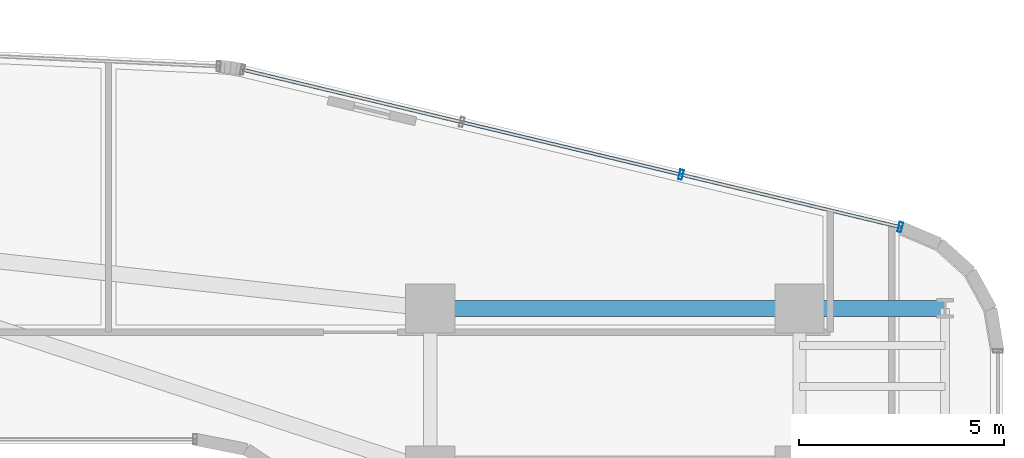
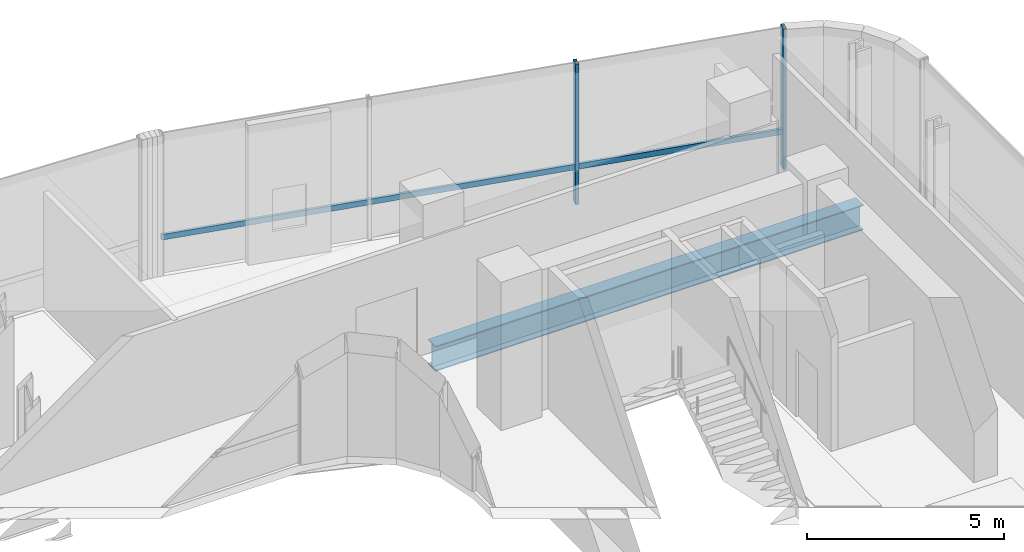
# One storey, part 22 of 32: 3 members, 2 beams, 1 element without a shape of its own.
"""IFC4 building model written with IfcOpenShell, lengths in metres."""

import ifcopenshell
import ifcopenshell.guid

model = None  # the IFC model being written
_history = None  # IfcOwnerHistory: only IFC2X3 demands one
_inside = {}  # id of a spatial element -> (the spatial element, [elements in it])
_under = {}  # id of a project, library or spatial element -> (it, [spatial elements below it])
_declared = {}  # id of a project -> (the project, [libraries it declares])
_typed = {}  # id of a type object -> (the type object, [elements of that type])
_made_of = {}  # id of a material, layer set ... -> (it, [elements and type objects made of it])


def new_model(schema):
    """Start an empty IFC model of exactly this schema.

    Asked for "IFC4X3", IfcOpenShell would pick the latest addendum, in which some entities
    have other attributes; the version numbers below select the first issue.
    IFC2X3 requires an IfcOwnerHistory on every rooted entity: one is made here for all.
    """
    global model, _history
    if schema == "IFC4X3":
        model = ifcopenshell.file(schema_version=(4, 3, 0, 0))
    else:
        model = ifcopenshell.file(schema=schema)
    _inside.clear()
    _under.clear()
    _declared.clear()
    _typed.clear()
    _made_of.clear()
    _history = None
    if model.schema == "IFC2X3":
        org = make("IfcOrganization", Name="unknown")
        user = make(
            "IfcPersonAndOrganization",
            ThePerson=make("IfcPerson", FamilyName="unknown"),
            TheOrganization=org,
        )
        app = make(
            "IfcApplication",
            ApplicationDeveloper=org,
            Version="unknown",
            ApplicationFullName="unknown",
            ApplicationIdentifier="unknown",
        )
        _history = make(
            "IfcOwnerHistory",
            OwningUser=user,
            OwningApplication=app,
            ChangeAction="ADDED",
            CreationDate=0,
        )
    return model


def make(cls, **values):
    """One entity of the class cls with the attributes given. An attribute that is None is left unset."""
    return model.create_entity(
        cls, **{name: value for name, value in values.items() if value is not None}
    )


def rooted(cls, **values):
    """An entity with a GlobalId (a new one), such as an element, a storey or a relation."""
    return make(cls, GlobalId=ifcopenshell.guid.new(), OwnerHistory=_history, **values)


def si_unit(unit_type, name, prefix=None):
    """IfcSIUnit, for example si_unit("LENGTHUNIT", "METRE", prefix="MILLI")."""
    return make("IfcSIUnit", UnitType=unit_type, Prefix=prefix, Name=name)


def assignment(units):
    """IfcUnitAssignment: the units of a project."""
    return None if units is None else make("IfcUnitAssignment", Units=units)


def point(xyz):
    """IfcCartesianPoint."""
    return None if xyz is None else make("IfcCartesianPoint", Coordinates=xyz)


def direction(xyz):
    """IfcDirection."""
    return None if xyz is None else make("IfcDirection", DirectionRatios=xyz)


def frame(location, z_axis=None, x_axis=None):
    """IfcAxis2Placement3D, a coordinate frame: its origin and axes. An axis left out is left unset."""
    return make(
        "IfcAxis2Placement3D",
        Location=point(location),
        Axis=direction(z_axis),
        RefDirection=direction(x_axis),
    )


def frame_2d(location, x_axis=None):
    """IfcAxis2Placement2D, a coordinate frame in the plane: its origin and x axis."""
    return make(
        "IfcAxis2Placement2D", Location=point(location), RefDirection=direction(x_axis)
    )


def origin():
    """The frame at (0, 0, 0) with its axes left unset."""
    return frame((0.0, 0.0, 0.0))


def origin_2d():
    """The frame at (0, 0) in the plane with its x axis left unset."""
    return frame_2d((0.0, 0.0))


def place(relative_to, where):
    """IfcLocalPlacement: puts the frame where relative to a parent placement (None: the world)."""
    return make(
        "IfcLocalPlacement", PlacementRelTo=relative_to, RelativePlacement=where
    )


def context(
    kind, dimensions, precision=None, world=None, true_north=None, identifier=None
):
    """IfcGeometricRepresentationContext, for example the 3D "Model" context."""
    return make(
        "IfcGeometricRepresentationContext",
        ContextIdentifier=identifier,
        ContextType=kind,
        CoordinateSpaceDimension=dimensions,
        Precision=precision,
        WorldCoordinateSystem=world,
        TrueNorth=true_north,
    )


def subcontext(parent, identifier, kind, view, scale=None):
    """IfcGeometricRepresentationSubContext, for example "Body" below "Model"."""
    return make(
        "IfcGeometricRepresentationSubContext",
        ContextIdentifier=identifier,
        ContextType=kind,
        ParentContext=parent,
        TargetScale=scale,
        TargetView=view,
    )


def project(units=None, contexts=None):
    """IfcProject with its units and contexts."""
    return rooted(
        "IfcProject",
        Name="project",
        RepresentationContexts=contexts,
        UnitsInContext=assignment(units),
    )


def spatial(cls, under=None, at=None, **own):
    """A site, building, storey or space (cls), placed at a placement, below another one or the project."""
    s = rooted(cls, ObjectPlacement=at, **own)
    if under is not None:
        _under.setdefault(under.id(), (under, []))[1].append(s)
    return s


def profile(cls, at=None, kind="AREA", **sizes):
    """A parametric profile (cls). Its sizes go by their IFC names, for example OverallWidth=200.0."""
    return make(cls, ProfileType=kind, Position=at, **sizes)


def hollow_rectangle(**sizes):
    """IfcRectangleHollowProfileDef."""
    return profile("IfcRectangleHollowProfileDef", **sizes)


def i_section(**sizes):
    """IfcIShapeProfileDef."""
    return profile("IfcIShapeProfileDef", **sizes)


def extrude(swept, where, along, depth):
    """IfcExtrudedAreaSolid: the profile swept, set in the frame where, extruded along a direction by depth."""
    return make(
        "IfcExtrudedAreaSolid",
        SweptArea=swept,
        Position=where,
        ExtrudedDirection=direction(along),
        Depth=depth,
    )


def shape(context_of_items, identifier, shape_type, items):
    """IfcShapeRepresentation: the items that make up one representation, for example the "Body"."""
    return make(
        "IfcShapeRepresentation",
        ContextOfItems=context_of_items,
        RepresentationIdentifier=identifier,
        RepresentationType=shape_type,
        Items=items,
    )


def source(mapping_origin, context_of_items, identifier, shape_type, items):
    """IfcRepresentationMap: a shape defined once, which mapped items show again and again."""
    return make(
        "IfcRepresentationMap",
        MappingOrigin=mapping_origin,
        MappedRepresentation=shape(context_of_items, identifier, shape_type, items),
    )


def transform(
    local_origin,
    x_axis=None,
    y_axis=None,
    z_axis=None,
    scale=None,
    scale2=None,
    scale3=None,
    uniform=True,
):
    """IfcCartesianTransformationOperator3D, or its non-uniform kind. x_axis, y_axis, z_axis: its Axis1, 2, 3."""
    if uniform:
        return make(
            "IfcCartesianTransformationOperator3D",
            Axis1=direction(x_axis),
            Axis2=direction(y_axis),
            LocalOrigin=point(local_origin),
            Scale=scale,
            Axis3=direction(z_axis),
        )
    return make(
        "IfcCartesianTransformationOperator3DnonUniform",
        Axis1=direction(x_axis),
        Axis2=direction(y_axis),
        LocalOrigin=point(local_origin),
        Scale=scale,
        Axis3=direction(z_axis),
        Scale2=scale2,
        Scale3=scale3,
    )


def mapped(mapping_source, mapping_target):
    """IfcMappedItem: shows the shape of a source again, moved by a transform."""
    return make(
        "IfcMappedItem", MappingSource=mapping_source, MappingTarget=mapping_target
    )


def material(Name=None, Category=None):
    """IfcMaterial."""
    return make("IfcMaterial", Name=Name, Category=Category)


def material_profile(
    of_material, cross_section, Name=None, Category=None, Priority=None
):
    """IfcMaterialProfile: a cross section and its material."""
    return make(
        "IfcMaterialProfile",
        Name=Name,
        Material=of_material,
        Profile=cross_section,
        Priority=Priority,
        Category=Category,
    )


def profile_set(profiles, Name=None, composite=None):
    """IfcMaterialProfileSet."""
    return make(
        "IfcMaterialProfileSet",
        Name=Name,
        MaterialProfiles=profiles,
        CompositeProfile=composite,
    )


def made_of(thing, what):
    """Note that an element or type object is made of a material, layer set ...; save() writes the relation."""
    if what is not None:
        _made_of.setdefault(what.id(), (what, []))[1].append(thing)
    return thing


def type_object(cls, material=None, **own):
    """A type object (cls), such as IfcWallType, which elements share."""
    return made_of(rooted(cls, **own), material)


def element(
    cls,
    number,
    at=None,
    inside=None,
    cuts=None,
    type_object=None,
    material=None,
    context=None,
    identifier="Body",
    shape_type=None,
    held_by="IfcProductDefinitionShape",
    body=None,
    shapes=None,
    **own,
):
    """One element of the class cls, such as IfcWall. Its Tag is "e" and its number.

    at: its placement. inside: the storey or other place that contains it. cuts: it is an
    opening in that element (IfcRelVoidsElement). A single representation is given by context,
    identifier, shape_type and body (its items); several are given by shapes. held_by: the class
    of the entity that holds the representations. save() writes the other relations.
    """
    e = rooted(cls, Tag="e%d" % number, ObjectPlacement=at, **own)
    if body is not None:
        shapes = [shape(context, identifier, shape_type, body)]
    if shapes is not None:
        e.Representation = make(held_by, Representations=shapes)
    if inside is not None:
        _inside.setdefault(inside.id(), (inside, []))[1].append(e)
    if cuts is not None:
        rooted(
            "IfcRelVoidsElement", RelatingBuildingElement=cuts, RelatedOpeningElement=e
        )
    if type_object is not None:
        _typed.setdefault(type_object.id(), (type_object, []))[1].append(e)
    return made_of(e, material)


def aggregate(whole, parts):
    """IfcRelAggregates: a whole, such as a stair, and the parts it consists of."""
    return rooted("IfcRelAggregates", RelatingObject=whole, RelatedObjects=parts)


def save(model, path):
    """Write the relations noted so far, then the file.

    IfcRelAggregates (storeys below a building ...), IfcRelContainedInSpatialStructure (elements
    in a storey), IfcRelDefinesByType, IfcRelAssociatesMaterial and IfcRelDeclares: one each for
    every whole, place, type object, material and project.
    """
    for whole, parts in _under.values():
        aggregate(whole, parts)
    for where, things in _inside.values():
        rooted(
            "IfcRelContainedInSpatialStructure",
            RelatedElements=things,
            RelatingStructure=where,
        )
    for kind, things in _typed.values():
        rooted("IfcRelDefinesByType", RelatedObjects=things, RelatingType=kind)
    for what, things in _made_of.values():
        rooted("IfcRelAssociatesMaterial", RelatedObjects=things, RelatingMaterial=what)
    for by, libraries in _declared.values():
        rooted("IfcRelDeclares", RelatingContext=by, RelatedDefinitions=libraries)
    model.write(path)


model = new_model("IFC4")

# Units and contexts
model_context = context("Model", 3, precision=1e-05, world=origin(), true_north=direction((0.0, 1.0)))
body_context = subcontext(model_context, "Body", "Model", "MODEL_VIEW")
ifc_project = project(units=[si_unit("LENGTHUNIT", "METRE"), si_unit("AREAUNIT", "SQUARE_METRE"), si_unit("VOLUMEUNIT", "CUBIC_METRE"), si_unit("PLANEANGLEUNIT", "RADIAN"), si_unit("MASSUNIT", "GRAM", prefix="KILO")], contexts=[model_context])

# Site, building, storey
site_placement = place(None, origin())
site = spatial("IfcSite", under=ifc_project, at=site_placement, CompositionType="ELEMENT")
building_placement = place(site_placement, origin())
building = spatial("IfcBuilding", under=site, at=building_placement, Name="Valdorenza Pilgrim Sanctuary Tower", CompositionType="ELEMENT")
storey_placement = place(building_placement, frame((0.0, 0.0, 101.10009765625)))
storey = spatial("IfcBuildingStorey", under=building, at=storey_placement, Name="L25", CompositionType="ELEMENT", Elevation=101.10009765625)

# Beams
ifc_material_1 = material(Name="Steel ASTM A992 Grade 50", Category="steel")
ifc_material_profile_1 = material_profile(ifc_material_1, i_section(OverallWidth=0.382080078125, OverallDepth=0.779052734375, WebThickness=0.01806640625, FlangeThickness=0.030029296875, at=origin_2d()), Name="W30X191")
ifc_profile_set_1 = profile_set([ifc_material_profile_1], Name="Steel ASTM A992 Grade 50")
beam_type = type_object("IfcBeamType", Name="STR-BM-GRD-W30", PredefinedType="BEAM", material=ifc_profile_set_1)
shared_shape_1 = source(origin(), body_context, "Body", "SweptSolid", [
    extrude(i_section(OverallWidth=0.382080078125, OverallDepth=0.779052734375, WebThickness=0.01806640625, FlangeThickness=0.030029296875, at=origin_2d()), origin(), (0.0, 0.0, 1.0), 9.0),
])
beam_1_placement = place(storey_placement, frame((15.85009765625, 13.5, -0.629638671875), z_axis=(1.0, 0.0, 0.0), x_axis=(0.0, 1.0, 0.0)))
element("IfcBeam", 1, at=beam_1_placement, inside=storey, type_object=beam_type, Name="L25 Floor Girder CB-XC-N2", PredefinedType="BEAM", context=body_context, shape_type="MappedRepresentation", body=[
    mapped(shared_shape_1, transform((0.0, 0.0, 0.0), x_axis=(1.0, 0.0, 0.0), y_axis=(0.0, 1.0, 0.0), z_axis=(0.0, 0.0, 1.0), scale=1.0)),
])
shared_shape_2 = source(origin(), body_context, "Body", "SweptSolid", [
    extrude(i_section(OverallWidth=0.382080078125, OverallDepth=0.779052734375, WebThickness=0.01806640625, FlangeThickness=0.030029296875, at=origin_2d()), origin(), (0.0, 0.0, 1.0), 3.5498046875),
])
beam_2_placement = place(storey_placement, frame((24.85009765625, 13.5, -0.629638671875), z_axis=(1.0, 0.0, 0.0), x_axis=(0.0, 1.0, 0.0)))
element("IfcBeam", 2, at=beam_2_placement, inside=storey, type_object=beam_type, Name="L25 Floor Girder WB-XE-N2", PredefinedType="BEAM", context=body_context, shape_type="MappedRepresentation", body=[
    mapped(shared_shape_2, transform((0.0, 0.0, 0.0), x_axis=(1.0, 0.0, 0.0), y_axis=(0.0, 1.0, 0.0), z_axis=(0.0, 0.0, 1.0), scale=1.0)),
])

# Curtain wall, members
ifc_material_2 = material(Name="Curtain-wall IGU glazing", Category="glass")
curtain_wall_type = type_object("IfcCurtainWallType", Name="CW-SYS-04", PredefinedType="NOTDEFINED", material=ifc_material_2)
curtain_wall_placement = place(storey_placement, origin())
curtain_wall = element("IfcCurtainWall", 3, at=curtain_wall_placement, inside=storey, type_object=curtain_wall_type, Name="L25 Curtain Wall CW-L25-1-16", PredefinedType="NOTDEFINED")
ifc_material_3 = material(Name="Anodised aluminium AW-6060", Category="aluminium")
ifc_material_profile_2 = material_profile(ifc_material_3, hollow_rectangle(XDim=0.090087890625, YDim=0.239990234375, WallThickness=0.0048828125, at=origin_2d()), Name="ALU-M 240x90x5")
ifc_profile_set_2 = profile_set([ifc_material_profile_2], Name="Anodised aluminium AW-6060")
member_type_1 = type_object("IfcMemberType", Name="CW-MUL-04", PredefinedType="MULLION", material=ifc_profile_set_2)
shared_shape_3 = source(origin(), body_context, "Body", "SweptSolid", [
    extrude(hollow_rectangle(XDim=0.090087890625, YDim=0.239990234375, WallThickness=0.0048828125, at=origin_2d()), origin(), (0.0, 0.0, 1.0), 4.35986328125),
])
member_1_placement = place(storey_placement, frame((21.964111328125, 16.7626953125, 0.0), z_axis=(0.0, 0.0, 1.0), x_axis=(0.972528596343, -0.232783438617, 0.0)))
member_1 = element("IfcMember", 4, at=member_1_placement, type_object=member_type_1, Name="CW-L25-1-16 Mullion 3", PredefinedType="MULLION", context=body_context, shape_type="MappedRepresentation", body=[
    mapped(shared_shape_3, transform((0.0, 0.0, 0.0), x_axis=(1.0, 0.0, 0.0), y_axis=(0.0, 1.0, 0.0), z_axis=(0.0, 0.0, 1.0), scale=1.0)),
])
member_2_placement = place(storey_placement, frame((27.310302734375, 15.48291015625, 0.0), z_axis=(0.0, 0.0, 1.0), x_axis=(0.972528596343, -0.232783438617, 0.0)))
member_2 = element("IfcMember", 5, at=member_2_placement, type_object=member_type_1, Name="CW-L25-1-16 Mullion 4", PredefinedType="MULLION", context=body_context, shape_type="MappedRepresentation", body=[
    mapped(shared_shape_3, transform((0.0, 0.0, 0.0), x_axis=(1.0, 0.0, 0.0), y_axis=(0.0, 1.0, 0.0), z_axis=(0.0, 0.0, 1.0), scale=1.0)),
])
ifc_material_profile_3 = material_profile(ifc_material_3, hollow_rectangle(XDim=0.080078125, YDim=0.169921875, WallThickness=0.00390625, at=origin_2d()), Name="ALU-T 170x80x4")
ifc_profile_set_3 = profile_set([ifc_material_profile_3], Name="Anodised aluminium AW-6060")
member_type_2 = type_object("IfcMemberType", Name="CW-TRN-04", PredefinedType="USERDEFINED", material=ifc_profile_set_3)
shared_shape_4 = source(origin(), body_context, "Body", "SweptSolid", [
    extrude(hollow_rectangle(XDim=0.080078125, YDim=0.169921875, WallThickness=0.00390625, at=origin_2d()), origin(), (0.0, 0.0, 1.0), 16.491943359375),
])
member_3_placement = place(storey_placement, frame((11.271484375, 19.322021484375, 1.119873046875), z_axis=(0.972527548122, -0.232787817859, 0.0), x_axis=(0.232787817859, 0.972527548122, 0.0)))
member_3 = element("IfcMember", 6, at=member_3_placement, type_object=member_type_2, Name="CW-L25-1-16 Transom 1", ObjectType="TRANSOM", PredefinedType="USERDEFINED", context=body_context, shape_type="MappedRepresentation", body=[
    mapped(shared_shape_4, transform((0.0, 0.0, 0.0), x_axis=(1.0, 0.0, 0.0), y_axis=(0.0, 1.0, 0.0), z_axis=(0.0, 0.0, 1.0), scale=1.0)),
])
aggregate(curtain_wall, [member_1, member_2, member_3])

save(model, "model.ifc")
